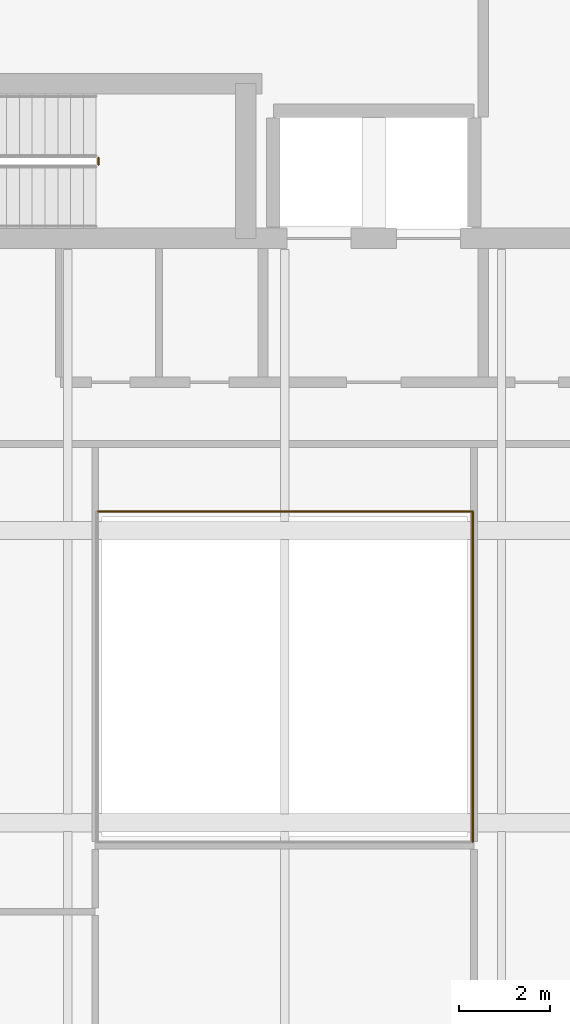
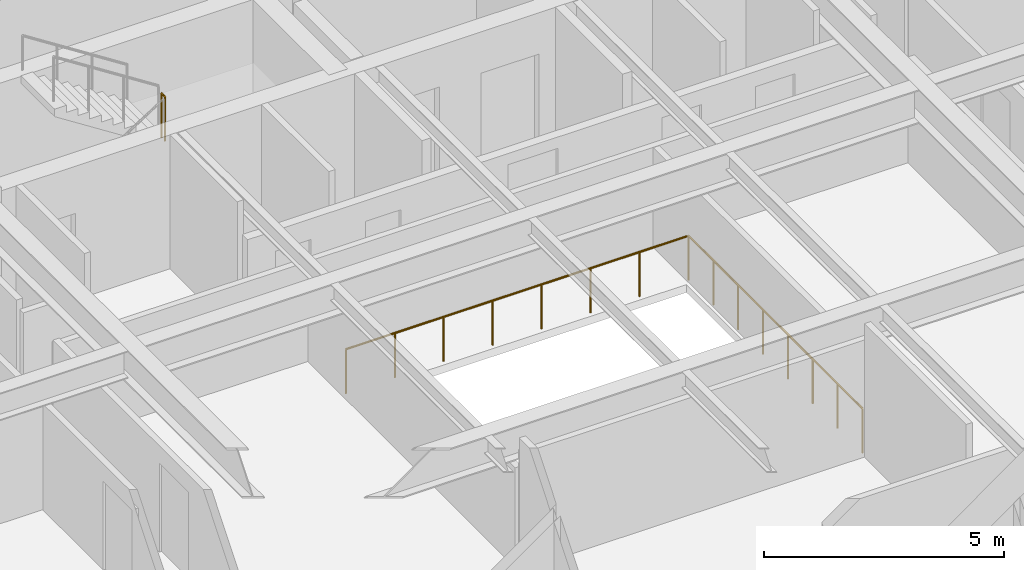
# One storey, part 11 of 12: 3 railings.
"""IFC4 building model written with IfcOpenShell, lengths in metres."""

from ifc_helpers import new_model, si_unit, direction, frame, origin, origin_2d, place, context, subcontext, project, spatial, circle, extrude, material, type_object, element, save


model = new_model("IFC4")

# Units and contexts
model_context = context("Model", 3, precision=1e-05, world=origin(), true_north=direction((0.0, 1.0)))
body_context = subcontext(model_context, "Body", "Model", "MODEL_VIEW")
ifc_project = project(units=[si_unit("LENGTHUNIT", "METRE"), si_unit("AREAUNIT", "SQUARE_METRE"), si_unit("VOLUMEUNIT", "CUBIC_METRE"), si_unit("PLANEANGLEUNIT", "RADIAN"), si_unit("MASSUNIT", "GRAM", prefix="KILO")], contexts=[model_context])

# Site, building, storey
site_placement = place(None, origin())
site = spatial("IfcSite", under=ifc_project, at=site_placement, CompositionType="ELEMENT")
building_placement = place(site_placement, origin())
building = spatial("IfcBuilding", under=site, at=building_placement, Name="Mirazonda Arch Towers", CompositionType="ELEMENT")
storey_placement = place(building_placement, frame((0.0, 0.0, 256.300048828125)))
storey = spatial("IfcBuildingStorey", under=building, at=storey_placement, Name="L73", CompositionType="ELEMENT", Elevation=256.300048828125)

# Railings
ifc_material_1 = material(Name="Insulated Low-E Solar Glass", Category="glass")
railing_type_1 = type_object("IfcRailingType", Name="BALUSTRADE-ATRIUM-1150", PredefinedType="BALUSTRADE", material=ifc_material_1)
railing_1_placement = place(storey_placement, frame((24.6201171875, 24.3798828125, 0.0)))
element("IfcRailing", 1, at=railing_1_placement, inside=storey, type_object=railing_type_1, Name="L73 L73 Sky-Lookout Oculus Balustrade 02", PredefinedType="BALUSTRADE", context=body_context, shape_type="SweptSolid", body=[
    extrude(circle(Radius=0.02392578125, at=origin_2d()), frame((0.0, 0.0, 1.1259765625), z_axis=(0.0, 1.0, 0.0), x_axis=(-1.0, 0.0, 0.0)), (0.0, 0.0, 1.0), 7.240234375),
    extrude(circle(Radius=0.02099609375, at=origin_2d()), origin(), (0.0, 0.0, 1.0), 1.101806640625),
    extrude(circle(Radius=0.02099609375, at=origin_2d()), frame((0.0, 1.034423828125, 0.0)), (0.0, 0.0, 1.0), 1.101806640625),
    extrude(circle(Radius=0.02099609375, at=origin_2d()), frame((0.0, 2.068603515625, 0.0)), (0.0, 0.0, 1.0), 1.101806640625),
    extrude(circle(Radius=0.02099609375, at=origin_2d()), frame((0.0, 3.10302734375, 0.0)), (0.0, 0.0, 1.0), 1.101806640625),
    extrude(circle(Radius=0.02099609375, at=origin_2d()), frame((0.0, 4.13720703125, 0.0)), (0.0, 0.0, 1.0), 1.101806640625),
    extrude(circle(Radius=0.02099609375, at=origin_2d()), frame((0.0, 5.171630859375, 0.0)), (0.0, 0.0, 1.0), 1.101806640625),
    extrude(circle(Radius=0.02099609375, at=origin_2d()), frame((0.0, 6.205810546875, 0.0)), (0.0, 0.0, 1.0), 1.101806640625),
    extrude(circle(Radius=0.02099609375, at=origin_2d()), frame((0.0, 7.240234375, 0.0)), (0.0, 0.0, 1.0), 1.101806640625),
])
railing_2_placement = place(storey_placement, frame((24.6201171875, 31.6201171875, 0.0)))
element("IfcRailing", 2, at=railing_2_placement, inside=storey, type_object=railing_type_1, Name="L73 L73 Sky-Lookout Oculus Balustrade 03", PredefinedType="BALUSTRADE", context=body_context, shape_type="SweptSolid", body=[
    extrude(circle(Radius=0.02392578125, at=origin_2d()), frame((0.0, 0.0, 1.1259765625), z_axis=(-1.0, 0.0, 0.0), x_axis=(0.0, -1.0, 0.0)), (0.0, 0.0, 1.0), 8.240234375),
    extrude(circle(Radius=0.02099609375, at=origin_2d()), origin(), (0.0, 0.0, 1.0), 1.101806640625),
    extrude(circle(Radius=0.02099609375, at=origin_2d()), frame((-1.17724609375, 0.0, 0.0)), (0.0, 0.0, 1.0), 1.101806640625),
    extrude(circle(Radius=0.02099609375, at=origin_2d()), frame((-2.354248046875, 0.0, 0.0)), (0.0, 0.0, 1.0), 1.101806640625),
    extrude(circle(Radius=0.02099609375, at=origin_2d()), frame((-3.531494140625, 0.0, 0.0)), (0.0, 0.0, 1.0), 1.101806640625),
    extrude(circle(Radius=0.02099609375, at=origin_2d()), frame((-4.708740234375, 0.0, 0.0)), (0.0, 0.0, 1.0), 1.101806640625),
    extrude(circle(Radius=0.02099609375, at=origin_2d()), frame((-5.885986328125, 0.0, 0.0)), (0.0, 0.0, 1.0), 1.101806640625),
    extrude(circle(Radius=0.02099609375, at=origin_2d()), frame((-7.06298828125, 0.0, 0.0)), (0.0, 0.0, 1.0), 1.101806640625),
    extrude(circle(Radius=0.02099609375, at=origin_2d()), frame((-8.240234375, 0.0, 0.0)), (0.0, 0.0, 1.0), 1.101806640625),
])
ifc_material_2 = material(Name="Architectural Brushed Steel S355", Category="steel")
railing_type_2 = type_object("IfcRailingType", Name="GUARD-STAIR-1120", PredefinedType="GUARDRAIL", material=ifc_material_2)
railing_3_placement = place(storey_placement, frame((16.419921875, 39.219970703125, 1.800048828125)))
element("IfcRailing", 3, at=railing_3_placement, inside=storey, type_object=railing_type_2, Name="L73 ST-T1N stair guard 2", PredefinedType="GUARDRAIL", context=body_context, shape_type="SweptSolid", body=[
    extrude(circle(Radius=0.02392578125, at=origin_2d()), frame((0.0, 0.0, 1.1259765625), z_axis=(0.0, 1.0, 0.0), x_axis=(-1.0, 0.0, 0.0)), (0.0, 0.0, 1.0), 0.14013671875),
    extrude(circle(Radius=0.02099609375, at=origin_2d()), origin(), (0.0, 0.0, 1.0), 1.101806640625),
    extrude(circle(Radius=0.02099609375, at=origin_2d()), frame((0.0, 0.14013671875, 0.0)), (0.0, 0.0, 1.0), 1.101806640625),
])

save(model, "model.ifc")
